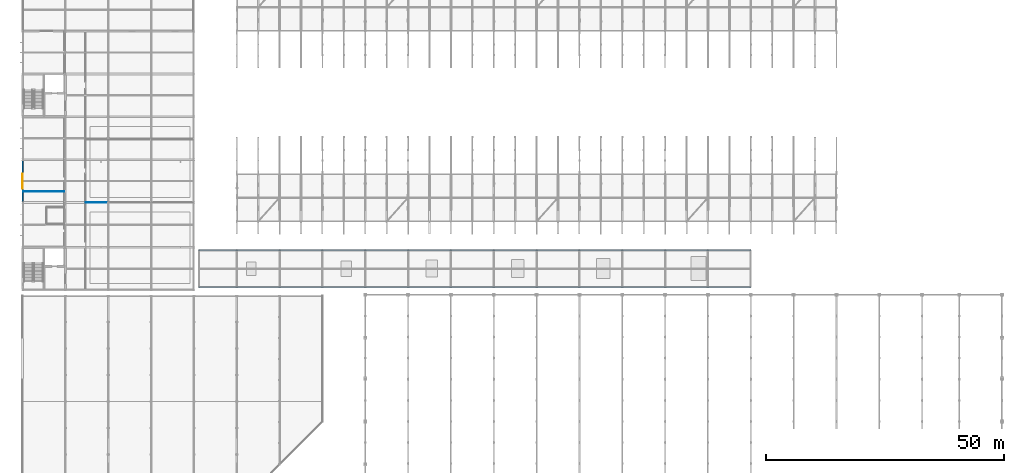
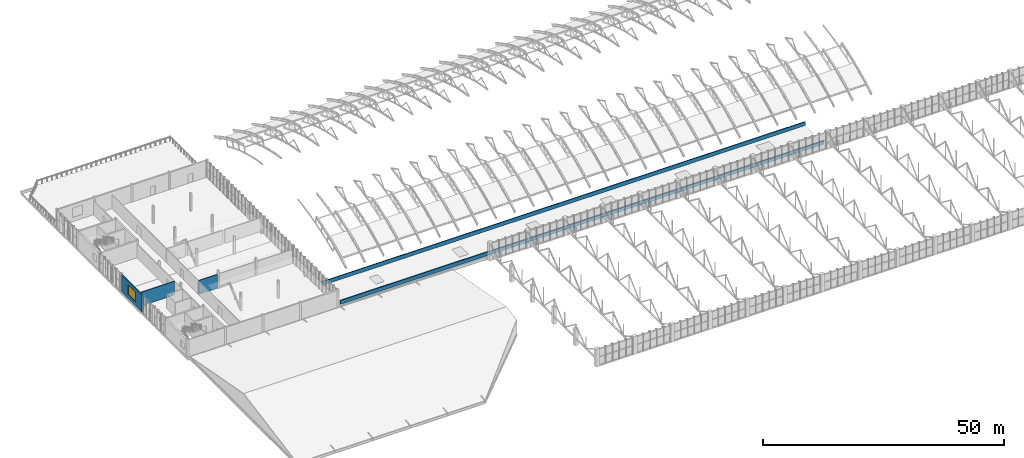
# One storey, part 85 of 103: 5 walls, 1 window, 1 opening.
"""IFC4 building model written with IfcOpenShell, lengths in metres."""

from ifc_helpers import new_model, si_unit, direction, frame, frame_2d, origin, place, context, subcontext, project, spatial, rectangle, extrude, material, layer, layer_set, type_object, element, fill, save


model = new_model("IFC4")

# Units and contexts
model_context = context("Model", 3, precision=1e-05, world=origin(), true_north=direction((0.0, 1.0)))
body_context = subcontext(model_context, "Body", "Model", "MODEL_VIEW")
ifc_project = project(units=[si_unit("LENGTHUNIT", "METRE"), si_unit("AREAUNIT", "SQUARE_METRE"), si_unit("VOLUMEUNIT", "CUBIC_METRE"), si_unit("PLANEANGLEUNIT", "RADIAN"), si_unit("MASSUNIT", "GRAM", prefix="KILO")], contexts=[model_context])

# Site, building, storey
site_placement = place(None, origin())
site = spatial("IfcSite", under=ifc_project, at=site_placement, CompositionType="ELEMENT")
building_placement = place(site_placement, origin())
building = spatial("IfcBuilding", under=site, at=building_placement, Name="Cazmaro Siding Exhibition Halls", CompositionType="ELEMENT")
storey_placement = place(building_placement, frame((0.0, 0.0, 16.5)))
storey = spatial("IfcBuildingStorey", under=building, at=storey_placement, Name="L03", CompositionType="ELEMENT", Elevation=16.5)

# Wall, opening, window
ifc_material_1 = material(Name="Concrete f'c 45 MPa", Category="concrete")
ifc_layer_1 = layer(ifc_material_1, 0.320068359375)
ifc_layer_set_1 = layer_set([ifc_layer_1], Name="Concrete f'c 45 MPa")
wall_type_1 = type_object("IfcWallType", Name="EW-01", PredefinedType="STANDARD", material=ifc_layer_set_1)
wall_1_placement = place(storey_placement, frame((0.0, 73.181884765625, 0.0), z_axis=(0.0, 0.0, 1.0), x_axis=(0.0, 1.0, 0.0)))
wall_1 = element("IfcWall", 1, at=wall_1_placement, inside=storey, type_object=wall_type_1, Name="West Wing Street Pier Wall L03 EW-01 WL-E0294", PredefinedType="STANDARD", context=body_context, shape_type="SweptSolid", body=[
    extrude(rectangle(XDim=8.63623046875, YDim=0.320068359375, at=frame_2d((4.318115234375, 0.0))), origin(), (0.0, 0.0, 1.0), 4.280029296875),
])
opening_placement = place(wall_1_placement, frame((2.742919921875, 0.0, 1.0)))
opening = element("IfcOpeningElement", 2, at=opening_placement, cuts=wall_1, Name="Opening W-097", PredefinedType="OPENING", context=body_context, shape_type="SweptSolid", body=[
    extrude(rectangle(XDim=3.14990234375, YDim=2.39990234375, at=frame_2d((1.574951171875, 1.199951171875))), frame((0.0, 0.169921875, 0.0), z_axis=(0.0, -1.0, 0.0), x_axis=(1.0, 0.0, 0.0)), (0.0, 0.0, 1.0), 0.340087890625),
])
ifc_material_2 = material(Name="Thermally Broken Aluminum Low-E Window Unit", Category="aluminium")
window_type = type_object("IfcWindowType", Name="WT-12", PartitioningType="SINGLE_PANEL", PredefinedType="WINDOW", material=ifc_material_2)
window_placement = place(opening_placement, origin())
window = element("IfcWindow", 3, at=window_placement, inside=storey, type_object=window_type, Name="Window W-097 (WT-12)", OverallHeight=2.39990234375, OverallWidth=3.14990234375, PartitioningType="SINGLE_PANEL", PredefinedType="WINDOW", context=body_context, shape_type="SweptSolid", body=[
    extrude(rectangle(XDim=3.14990234375, YDim=2.39990234375, at=frame_2d((1.574951171875, 1.199951171875))), frame((0.0, 0.030029296875, 0.0), z_axis=(0.0, -1.0, 0.0), x_axis=(1.0, 0.0, 0.0)), (0.0, 0.0, 1.0), 0.06005859375),
])
fill(opening, window)

# Walls
ifc_material_3 = material(Name="Concrete f'c 35 MPa", Category="concrete")
ifc_layer_2 = layer(ifc_material_3, 0.215087890625)
ifc_layer_set_2 = layer_set([ifc_layer_2], Name="Concrete f'c 35 MPa")
wall_type_2 = type_object("IfcWallType", Name="PP-01", PredefinedType="PARAPET", material=ifc_layer_set_2)
for number, where, z_axis, x_axis, name in (
    (4, (153.0, 55.199951171875, 0.0), (0.0, 0.0, 1.0), (-1.0, 0.0, 0.0), "Concourse South Roof Parapet PP-01 WL-E0324"),
    (5, (37.0, 63.0, 0.0), (0.0, 0.0, 1.0), (1.0, 0.0, 0.0), "Concourse North Roof Parapet PP-01 WL-E0325"),
):
    element("IfcWall", number, at=place(storey_placement, frame(where, z_axis=z_axis, x_axis=x_axis)), inside=storey, type_object=wall_type_2, Name=name, PredefinedType="PARAPET", context=body_context, shape_type="SweptSolid", body=[
        extrude(rectangle(XDim=116.0, YDim=0.215087890625, at=frame_2d((58.0, 0.0))), origin(), (0.0, 0.0, 1.0), 0.949951171875),
    ])
ifc_material_4 = material(Name="Moisture-Resistant Gypsum Board on Acoustic Steel Studs", Category="steel")
ifc_layer_3 = layer(ifc_material_4, 0.1650390625)
ifc_layer_set_3 = layer_set([ifc_layer_3], Name="Moisture-Resistant Gypsum Board on Acoustic Steel Studs")
wall_type_3 = type_object("IfcWallType", Name="PW-02", PredefinedType="PARTITIONING", material=ifc_layer_set_3)
wall_2_placement = place(storey_placement, frame((13.320068359375, 73.0, 0.0), z_axis=(0.0, 0.0, 1.0), x_axis=(1.0, 0.0, 0.0)))
element("IfcWall", 6, at=wall_2_placement, inside=storey, type_object=wall_type_3, Name="West Wing East Room Divider L03 PW-02 WL-I0260", PredefinedType="PARTITIONING", context=body_context, shape_type="SweptSolid", body=[
    extrude(rectangle(XDim=4.429931640625, YDim=0.1650390625, at=frame_2d((2.21484375, 0.0))), origin(), (0.0, 0.0, 1.0), 3.5),
])
wall_3_placement = place(storey_placement, frame((0.10009765625, 75.300048828125, 0.0), z_axis=(0.0, 0.0, 1.0), x_axis=(1.0, 0.0, 0.0)))
element("IfcWall", 7, at=wall_3_placement, inside=storey, type_object=wall_type_3, Name="West Wing Restroom Divider L03 PW-02 WL-I0271", PredefinedType="PARTITIONING", context=body_context, shape_type="SweptSolid", body=[
    extrude(rectangle(XDim=8.679931640625, YDim=0.1650390625, at=frame_2d((4.33984375, 0.0))), origin(), (0.0, 0.0, 1.0), 3.5),
])

save(model, "model.ifc")
